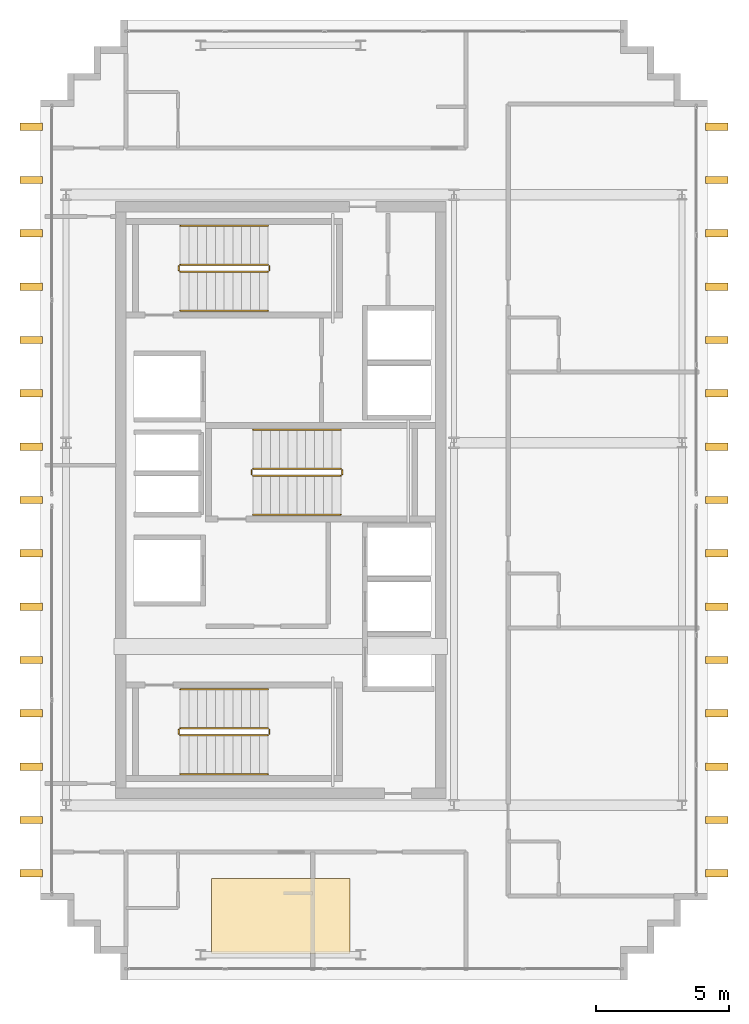
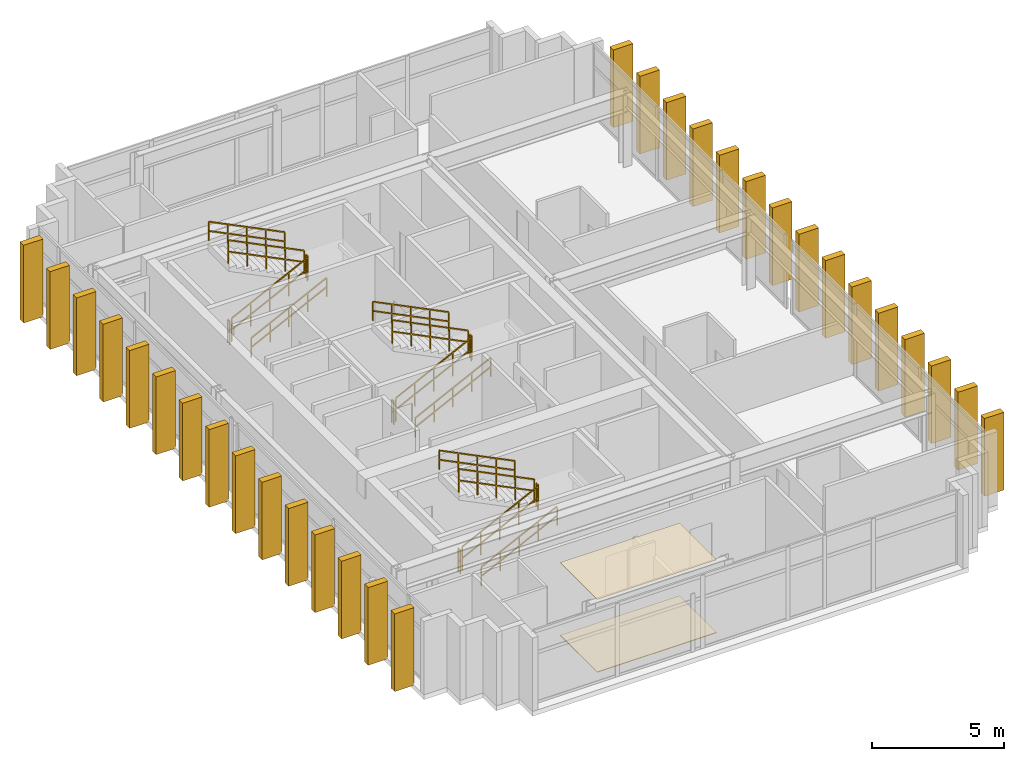
# One storey, part 15 of 15: 30 shading devices, 18 railings, 2 coverings.
"""IFC4 building model written with IfcOpenShell, lengths in metres."""

from ifc_helpers import new_model, si_unit, direction, frame, origin, origin_2d, place, context, subcontext, project, spatial, polyline, rectangle, outline, extrude, source, transform, mapped, material, layer, layer_set, type_object, element, save


model = new_model("IFC4")

# Units and contexts
model_context = context("Model", 3, precision=1e-05, world=origin(), true_north=direction((0.0, 1.0)))
body_context = subcontext(model_context, "Body", "Model", "MODEL_VIEW")
ifc_project = project(units=[si_unit("LENGTHUNIT", "METRE"), si_unit("AREAUNIT", "SQUARE_METRE"), si_unit("VOLUMEUNIT", "CUBIC_METRE"), si_unit("PLANEANGLEUNIT", "RADIAN"), si_unit("MASSUNIT", "GRAM", prefix="KILO")], contexts=[model_context])

# Site, building, storey
site_placement = place(None, origin())
site = spatial("IfcSite", under=ifc_project, at=site_placement, CompositionType="ELEMENT")
building_placement = place(site_placement, origin())
building = spatial("IfcBuilding", under=site, at=building_placement, Name="Ocotamira Hotel", CompositionType="ELEMENT")
storey_placement = place(building_placement, frame((0.0, 0.0, 276.0)))
storey = spatial("IfcBuildingStorey", under=building, at=storey_placement, Name="L70", CompositionType="ELEMENT", Elevation=276.0)

# Coverings
ifc_material_1 = material(Name="Perforated acoustic gypsum ceiling board", Category="gypsum")
ifc_layer_1 = layer(ifc_material_1, 0.02490234375)
ifc_layer_set_1 = layer_set([ifc_layer_1], Name="Perforated acoustic gypsum ceiling board")
covering_type_1 = type_object("IfcCoveringType", Name="COV-CEIL-25", PredefinedType="CEILING", material=ifc_layer_set_1)
covering_1_placement = place(storey_placement, frame((0.0, 0.0, 3.35498046875)))
element("IfcCovering", 1, at=covering_1_placement, inside=storey, type_object=covering_type_1, Name="L70 Acoustic Ceiling", PredefinedType="CEILING", context=body_context, shape_type="SweptSolid", body=[
    extrude(outline(polyline([(14.39990234375, 9.0), (19.60009765625, 9.0), (19.60009765625, 11.800048828125), (14.39990234375, 11.800048828125), (14.39990234375, 9.0)])), origin(), (0.0, 0.0, 1.0), 0.02490234375),
])
ifc_material_2 = material(Name="Honed desert travertine stone flooring", Category="masonry")
ifc_layer_2 = layer(ifc_material_2, 0.030029296875)
ifc_layer_set_2 = layer_set([ifc_layer_2], Name="Honed desert travertine stone flooring")
covering_type_2 = type_object("IfcCoveringType", Name="COV-FLOR-30", PredefinedType="FLOORING", material=ifc_layer_set_2)
covering_2_placement = place(storey_placement, origin())
element("IfcCovering", 2, at=covering_2_placement, inside=storey, type_object=covering_type_2, Name="L70 Honed Stone Floor Finish", PredefinedType="FLOORING", context=body_context, shape_type="SweptSolid", body=[
    extrude(outline(polyline([(14.39990234375, 9.0), (19.60009765625, 9.0), (19.60009765625, 11.800048828125), (14.39990234375, 11.800048828125), (14.39990234375, 9.0)])), origin(), (0.0, 0.0, 1.0), 0.030029296875),
])

# Railings
ifc_material_3 = material(Name="Brushed stainless steel handrail", Category="steel")
railing_type_1 = type_object("IfcRailingType", Name="RL-HAND-900", PredefinedType="HANDRAIL", material=ifc_material_3)
railing_1_placement = place(storey_placement, frame((13.22998046875, 15.719970703125, 0.327392578125)))
element("IfcRailing", 3, at=railing_1_placement, inside=storey, type_object=railing_type_1, Name="L70 ST-1 stair handrail 1", PredefinedType="HANDRAIL", context=body_context, shape_type="SweptSolid", body=[
    extrude(rectangle(XDim=0.048095703125, YDim=0.048095703125, at=origin_2d()), frame((0.0, 0.0, 0.8759765625), z_axis=(0.895920123917, 0.0, 0.444215186098), x_axis=(0.0, 1.0, 0.0)), (0.0, 0.0, 1.0), 3.683349609375),
    extrude(rectangle(XDim=0.048095703125, YDim=0.048095703125, at=origin_2d()), frame((0.0, 0.0, 0.449951171875), z_axis=(0.895920123917, 0.0, 0.444215186098), x_axis=(0.0, 1.0, 0.0)), (0.0, 0.0, 1.0), 3.683349609375),
    extrude(rectangle(XDim=0.0419921875, YDim=0.0419921875, at=origin_2d()), origin(), (0.0, 0.0, 1.0), 0.851806640625),
    extrude(rectangle(XDim=0.0419921875, YDim=0.0419921875, at=origin_2d()), frame((0.824951171875, 0.0, 0.4091796875)), (0.0, 0.0, 1.0), 0.851806640625),
    extrude(rectangle(XDim=0.0419921875, YDim=0.0419921875, at=origin_2d()), frame((1.64990234375, 0.0, 0.818115234375)), (0.0, 0.0, 1.0), 0.851806640625),
    extrude(rectangle(XDim=0.0419921875, YDim=0.0419921875, at=origin_2d()), frame((2.47509765625, 0.0, 1.22705078125)), (0.0, 0.0, 1.0), 0.851806640625),
    extrude(rectangle(XDim=0.0419921875, YDim=0.0419921875, at=origin_2d()), frame((3.300048828125, 0.0, 1.63623046875)), (0.0, 0.0, 1.0), 0.851806640625),
])
railing_2_placement = place(storey_placement, frame((16.530029296875, 18.89990234375, 2.127197265625)))
element("IfcRailing", 4, at=railing_2_placement, inside=storey, type_object=railing_type_1, Name="L70 ST-1 stair handrail 2", PredefinedType="HANDRAIL", context=body_context, shape_type="SweptSolid", body=[
    extrude(rectangle(XDim=0.048095703125, YDim=0.048095703125, at=origin_2d()), frame((0.0, 0.0, 0.8759765625), z_axis=(-0.895893744519, 0.0, 0.4442683857), x_axis=(0.0, -1.0, 0.0)), (0.0, 0.0, 1.0), 3.68359375),
    extrude(rectangle(XDim=0.048095703125, YDim=0.048095703125, at=origin_2d()), frame((0.0, 0.0, 0.449951171875), z_axis=(-0.895893744519, 0.0, 0.4442683857), x_axis=(0.0, -1.0, 0.0)), (0.0, 0.0, 1.0), 3.68359375),
    extrude(rectangle(XDim=0.0419921875, YDim=0.0419921875, at=origin_2d()), origin(), (0.0, 0.0, 1.0), 0.851806640625),
    extrude(rectangle(XDim=0.0419921875, YDim=0.0419921875, at=origin_2d()), frame((-0.824951171875, 0.0, 0.4091796875)), (0.0, 0.0, 1.0), 0.851806640625),
    extrude(rectangle(XDim=0.0419921875, YDim=0.0419921875, at=origin_2d()), frame((-1.64990234375, 0.0, 0.818359375)), (0.0, 0.0, 1.0), 0.851806640625),
    extrude(rectangle(XDim=0.0419921875, YDim=0.0419921875, at=origin_2d()), frame((-2.47509765625, 0.0, 1.227294921875)), (0.0, 0.0, 1.0), 0.851806640625),
    extrude(rectangle(XDim=0.0419921875, YDim=0.0419921875, at=origin_2d()), frame((-3.300048828125, 0.0, 1.636474609375)), (0.0, 0.0, 1.0), 0.851806640625),
])
railing_3_placement = place(storey_placement, frame((13.22998046875, 33.10009765625, 0.327392578125)))
element("IfcRailing", 5, at=railing_3_placement, inside=storey, type_object=railing_type_1, Name="L70 ST-2 stair handrail 1", PredefinedType="HANDRAIL", context=body_context, shape_type="SweptSolid", body=[
    extrude(rectangle(XDim=0.048095703125, YDim=0.048095703125, at=origin_2d()), frame((0.0, 0.0, 0.8759765625), z_axis=(0.895920123917, 0.0, 0.444215186098), x_axis=(0.0, 1.0, 0.0)), (0.0, 0.0, 1.0), 3.683349609375),
    extrude(rectangle(XDim=0.048095703125, YDim=0.048095703125, at=origin_2d()), frame((0.0, 0.0, 0.449951171875), z_axis=(0.895920123917, 0.0, 0.444215186098), x_axis=(0.0, 1.0, 0.0)), (0.0, 0.0, 1.0), 3.683349609375),
    extrude(rectangle(XDim=0.0419921875, YDim=0.0419921875, at=origin_2d()), origin(), (0.0, 0.0, 1.0), 0.851806640625),
    extrude(rectangle(XDim=0.0419921875, YDim=0.0419921875, at=origin_2d()), frame((0.824951171875, 0.0, 0.4091796875)), (0.0, 0.0, 1.0), 0.851806640625),
    extrude(rectangle(XDim=0.0419921875, YDim=0.0419921875, at=origin_2d()), frame((1.64990234375, 0.0, 0.818115234375)), (0.0, 0.0, 1.0), 0.851806640625),
    extrude(rectangle(XDim=0.0419921875, YDim=0.0419921875, at=origin_2d()), frame((2.47509765625, 0.0, 1.22705078125)), (0.0, 0.0, 1.0), 0.851806640625),
    extrude(rectangle(XDim=0.0419921875, YDim=0.0419921875, at=origin_2d()), frame((3.300048828125, 0.0, 1.63623046875)), (0.0, 0.0, 1.0), 0.851806640625),
])
railing_4_placement = place(storey_placement, frame((16.530029296875, 36.280029296875, 2.127197265625)))
element("IfcRailing", 6, at=railing_4_placement, inside=storey, type_object=railing_type_1, Name="L70 ST-2 stair handrail 2", PredefinedType="HANDRAIL", context=body_context, shape_type="SweptSolid", body=[
    extrude(rectangle(XDim=0.048095703125, YDim=0.048095703125, at=origin_2d()), frame((0.0, 0.0, 0.8759765625), z_axis=(-0.895893744519, 0.0, 0.4442683857), x_axis=(0.0, -1.0, 0.0)), (0.0, 0.0, 1.0), 3.68359375),
    extrude(rectangle(XDim=0.048095703125, YDim=0.048095703125, at=origin_2d()), frame((0.0, 0.0, 0.449951171875), z_axis=(-0.895893744519, 0.0, 0.4442683857), x_axis=(0.0, -1.0, 0.0)), (0.0, 0.0, 1.0), 3.68359375),
    extrude(rectangle(XDim=0.0419921875, YDim=0.0419921875, at=origin_2d()), origin(), (0.0, 0.0, 1.0), 0.851806640625),
    extrude(rectangle(XDim=0.0419921875, YDim=0.0419921875, at=origin_2d()), frame((-0.824951171875, 0.0, 0.4091796875)), (0.0, 0.0, 1.0), 0.851806640625),
    extrude(rectangle(XDim=0.0419921875, YDim=0.0419921875, at=origin_2d()), frame((-1.64990234375, 0.0, 0.818359375)), (0.0, 0.0, 1.0), 0.851806640625),
    extrude(rectangle(XDim=0.0419921875, YDim=0.0419921875, at=origin_2d()), frame((-2.47509765625, 0.0, 1.227294921875)), (0.0, 0.0, 1.0), 0.851806640625),
    extrude(rectangle(XDim=0.0419921875, YDim=0.0419921875, at=origin_2d()), frame((-3.300048828125, 0.0, 1.636474609375)), (0.0, 0.0, 1.0), 0.851806640625),
])
railing_5_placement = place(storey_placement, frame((15.9599609375, 25.449951171875, 0.327392578125)))
element("IfcRailing", 7, at=railing_5_placement, inside=storey, type_object=railing_type_1, Name="L70 ST-3 stair handrail 1", PredefinedType="HANDRAIL", context=body_context, shape_type="SweptSolid", body=[
    extrude(rectangle(XDim=0.048095703125, YDim=0.048095703125, at=origin_2d()), frame((0.0, 0.0, 0.8759765625), z_axis=(0.895920123917, 0.0, 0.444215186098), x_axis=(0.0, 1.0, 0.0)), (0.0, 0.0, 1.0), 3.683349609375),
    extrude(rectangle(XDim=0.048095703125, YDim=0.048095703125, at=origin_2d()), frame((0.0, 0.0, 0.449951171875), z_axis=(0.895920123917, 0.0, 0.444215186098), x_axis=(0.0, 1.0, 0.0)), (0.0, 0.0, 1.0), 3.683349609375),
    extrude(rectangle(XDim=0.0419921875, YDim=0.0419921875, at=origin_2d()), origin(), (0.0, 0.0, 1.0), 0.851806640625),
    extrude(rectangle(XDim=0.0419921875, YDim=0.0419921875, at=origin_2d()), frame((0.824951171875, 0.0, 0.4091796875)), (0.0, 0.0, 1.0), 0.851806640625),
    extrude(rectangle(XDim=0.0419921875, YDim=0.0419921875, at=origin_2d()), frame((1.64990234375, 0.0, 0.818115234375)), (0.0, 0.0, 1.0), 0.851806640625),
    extrude(rectangle(XDim=0.0419921875, YDim=0.0419921875, at=origin_2d()), frame((2.47509765625, 0.0, 1.22705078125)), (0.0, 0.0, 1.0), 0.851806640625),
    extrude(rectangle(XDim=0.0419921875, YDim=0.0419921875, at=origin_2d()), frame((3.300048828125, 0.0, 1.63623046875)), (0.0, 0.0, 1.0), 0.851806640625),
])
railing_6_placement = place(storey_placement, frame((19.260009765625, 28.6298828125, 2.127197265625)))
element("IfcRailing", 8, at=railing_6_placement, inside=storey, type_object=railing_type_1, Name="L70 ST-3 stair handrail 2", PredefinedType="HANDRAIL", context=body_context, shape_type="SweptSolid", body=[
    extrude(rectangle(XDim=0.048095703125, YDim=0.048095703125, at=origin_2d()), frame((0.0, 0.0, 0.8759765625), z_axis=(-0.895893744519, 0.0, 0.4442683857), x_axis=(0.0, -1.0, 0.0)), (0.0, 0.0, 1.0), 3.68359375),
    extrude(rectangle(XDim=0.048095703125, YDim=0.048095703125, at=origin_2d()), frame((0.0, 0.0, 0.449951171875), z_axis=(-0.895893744519, 0.0, 0.4442683857), x_axis=(0.0, -1.0, 0.0)), (0.0, 0.0, 1.0), 3.68359375),
    extrude(rectangle(XDim=0.0419921875, YDim=0.0419921875, at=origin_2d()), origin(), (0.0, 0.0, 1.0), 0.851806640625),
    extrude(rectangle(XDim=0.0419921875, YDim=0.0419921875, at=origin_2d()), frame((-0.824951171875, 0.0, 0.4091796875)), (0.0, 0.0, 1.0), 0.851806640625),
    extrude(rectangle(XDim=0.0419921875, YDim=0.0419921875, at=origin_2d()), frame((-1.64990234375, 0.0, 0.818359375)), (0.0, 0.0, 1.0), 0.851806640625),
    extrude(rectangle(XDim=0.0419921875, YDim=0.0419921875, at=origin_2d()), frame((-2.47509765625, 0.0, 1.227294921875)), (0.0, 0.0, 1.0), 0.851806640625),
    extrude(rectangle(XDim=0.0419921875, YDim=0.0419921875, at=origin_2d()), frame((-3.300048828125, 0.0, 1.636474609375)), (0.0, 0.0, 1.0), 0.851806640625),
])
ifc_material_4 = material(Name="Painted steel stair guardrail", Category="steel")
railing_type_2 = type_object("IfcRailingType", Name="RL-STAIR-1100", PredefinedType="GUARDRAIL", material=ifc_material_4)
railing_7_placement = place(storey_placement, frame((13.22998046875, 17.179931640625, 0.16357421875)))
element("IfcRailing", 9, at=railing_7_placement, inside=storey, type_object=railing_type_2, Name="L70 ST-1 stair guard 1", PredefinedType="GUARDRAIL", context=body_context, shape_type="SweptSolid", body=[
    extrude(rectangle(XDim=0.048095703125, YDim=0.048095703125, at=origin_2d()), frame((0.0, 0.0, 1.076171875), z_axis=(0.895893744519, 0.0, 0.4442683857), x_axis=(0.0, 1.0, 0.0)), (0.0, 0.0, 1.0), 3.68359375),
    extrude(rectangle(XDim=0.048095703125, YDim=0.048095703125, at=origin_2d()), frame((0.0, 0.0, 0.550048828125), z_axis=(0.895893744519, 0.0, 0.4442683857), x_axis=(0.0, 1.0, 0.0)), (0.0, 0.0, 1.0), 3.68359375),
    extrude(rectangle(XDim=0.0419921875, YDim=0.0419921875, at=origin_2d()), origin(), (0.0, 0.0, 1.0), 1.052001953125),
    extrude(rectangle(XDim=0.0419921875, YDim=0.0419921875, at=origin_2d()), frame((0.824951171875, 0.0, 0.4091796875)), (0.0, 0.0, 1.0), 1.052001953125),
    extrude(rectangle(XDim=0.0419921875, YDim=0.0419921875, at=origin_2d()), frame((1.64990234375, 0.0, 0.818359375)), (0.0, 0.0, 1.0), 1.052001953125),
    extrude(rectangle(XDim=0.0419921875, YDim=0.0419921875, at=origin_2d()), frame((2.47509765625, 0.0, 1.227294921875)), (0.0, 0.0, 1.0), 1.052001953125),
    extrude(rectangle(XDim=0.0419921875, YDim=0.0419921875, at=origin_2d()), frame((3.300048828125, 0.0, 1.636474609375)), (0.0, 0.0, 1.0), 1.052001953125),
])
railing_8_placement = place(storey_placement, frame((16.580078125, 17.22998046875, 1.800048828125)))
element("IfcRailing", 10, at=railing_8_placement, inside=storey, type_object=railing_type_2, Name="L70 ST-1 stair guard 2", PredefinedType="GUARDRAIL", context=body_context, shape_type="SweptSolid", body=[
    extrude(rectangle(XDim=0.048095703125, YDim=0.048095703125, at=origin_2d()), frame((0.0, 0.0, 1.076171875), z_axis=(0.0, 1.0, 0.0), x_axis=(-1.0, 0.0, 0.0)), (0.0, 0.0, 1.0), 0.159912109375),
    extrude(rectangle(XDim=0.048095703125, YDim=0.048095703125, at=origin_2d()), frame((0.0, 0.0, 0.550048828125), z_axis=(0.0, 1.0, 0.0), x_axis=(-1.0, 0.0, 0.0)), (0.0, 0.0, 1.0), 0.159912109375),
    extrude(rectangle(XDim=0.0419921875, YDim=0.0419921875, at=origin_2d()), origin(), (0.0, 0.0, 1.0), 1.052001953125),
    extrude(rectangle(XDim=0.0419921875, YDim=0.0419921875, at=origin_2d()), frame((0.0, 0.159912109375, 0.0)), (0.0, 0.0, 1.0), 1.052001953125),
])
railing_9_placement = place(storey_placement, frame((16.530029296875, 17.43994140625, 1.963623046875)))
element("IfcRailing", 11, at=railing_9_placement, inside=storey, type_object=railing_type_2, Name="L70 ST-1 stair guard 3", PredefinedType="GUARDRAIL", context=body_context, shape_type="SweptSolid", body=[
    extrude(rectangle(XDim=0.048095703125, YDim=0.048095703125, at=origin_2d()), frame((0.0, 0.0, 1.076171875), z_axis=(-0.895893744519, 0.0, 0.4442683857), x_axis=(0.0, -1.0, 0.0)), (0.0, 0.0, 1.0), 3.68359375),
    extrude(rectangle(XDim=0.048095703125, YDim=0.048095703125, at=origin_2d()), frame((0.0, 0.0, 0.550048828125), z_axis=(-0.895893744519, 0.0, 0.4442683857), x_axis=(0.0, -1.0, 0.0)), (0.0, 0.0, 1.0), 3.68359375),
    extrude(rectangle(XDim=0.0419921875, YDim=0.0419921875, at=origin_2d()), origin(), (0.0, 0.0, 1.0), 1.052001953125),
    extrude(rectangle(XDim=0.0419921875, YDim=0.0419921875, at=origin_2d()), frame((-0.824951171875, 0.0, 0.4091796875)), (0.0, 0.0, 1.0), 1.052001953125),
    extrude(rectangle(XDim=0.0419921875, YDim=0.0419921875, at=origin_2d()), frame((-1.64990234375, 0.0, 0.818359375)), (0.0, 0.0, 1.0), 1.052001953125),
    extrude(rectangle(XDim=0.0419921875, YDim=0.0419921875, at=origin_2d()), frame((-2.47509765625, 0.0, 1.227294921875)), (0.0, 0.0, 1.0), 1.052001953125),
    extrude(rectangle(XDim=0.0419921875, YDim=0.0419921875, at=origin_2d()), frame((-3.300048828125, 0.0, 1.636474609375)), (0.0, 0.0, 1.0), 1.052001953125),
])
railing_10_placement = place(storey_placement, frame((13.179931640625, 17.22998046875, 0.0)))
element("IfcRailing", 12, at=railing_10_placement, inside=storey, type_object=railing_type_2, Name="L70 ST-1 stair guard 4", PredefinedType="GUARDRAIL", context=body_context, shape_type="SweptSolid", body=[
    extrude(rectangle(XDim=0.048095703125, YDim=0.048095703125, at=origin_2d()), frame((0.0, 0.0, 1.076171875), z_axis=(0.0, 1.0, 0.0), x_axis=(-1.0, 0.0, 0.0)), (0.0, 0.0, 1.0), 0.159912109375),
    extrude(rectangle(XDim=0.048095703125, YDim=0.048095703125, at=origin_2d()), frame((0.0, 0.0, 0.550048828125), z_axis=(0.0, 1.0, 0.0), x_axis=(-1.0, 0.0, 0.0)), (0.0, 0.0, 1.0), 0.159912109375),
    extrude(rectangle(XDim=0.0419921875, YDim=0.0419921875, at=origin_2d()), origin(), (0.0, 0.0, 1.0), 1.052001953125),
    extrude(rectangle(XDim=0.0419921875, YDim=0.0419921875, at=origin_2d()), frame((0.0, 0.159912109375, 0.0)), (0.0, 0.0, 1.0), 1.052001953125),
])
railing_11_placement = place(storey_placement, frame((13.22998046875, 34.56005859375, 0.16357421875)))
element("IfcRailing", 13, at=railing_11_placement, inside=storey, type_object=railing_type_2, Name="L70 ST-2 stair guard 1", PredefinedType="GUARDRAIL", context=body_context, shape_type="SweptSolid", body=[
    extrude(rectangle(XDim=0.048095703125, YDim=0.048095703125, at=origin_2d()), frame((0.0, 0.0, 1.076171875), z_axis=(0.895893744519, 0.0, 0.4442683857), x_axis=(0.0, 1.0, 0.0)), (0.0, 0.0, 1.0), 3.68359375),
    extrude(rectangle(XDim=0.048095703125, YDim=0.048095703125, at=origin_2d()), frame((0.0, 0.0, 0.550048828125), z_axis=(0.895893744519, 0.0, 0.4442683857), x_axis=(0.0, 1.0, 0.0)), (0.0, 0.0, 1.0), 3.68359375),
    extrude(rectangle(XDim=0.0419921875, YDim=0.0419921875, at=origin_2d()), origin(), (0.0, 0.0, 1.0), 1.052001953125),
    extrude(rectangle(XDim=0.0419921875, YDim=0.0419921875, at=origin_2d()), frame((0.824951171875, 0.0, 0.4091796875)), (0.0, 0.0, 1.0), 1.052001953125),
    extrude(rectangle(XDim=0.0419921875, YDim=0.0419921875, at=origin_2d()), frame((1.64990234375, 0.0, 0.818359375)), (0.0, 0.0, 1.0), 1.052001953125),
    extrude(rectangle(XDim=0.0419921875, YDim=0.0419921875, at=origin_2d()), frame((2.47509765625, 0.0, 1.227294921875)), (0.0, 0.0, 1.0), 1.052001953125),
    extrude(rectangle(XDim=0.0419921875, YDim=0.0419921875, at=origin_2d()), frame((3.300048828125, 0.0, 1.636474609375)), (0.0, 0.0, 1.0), 1.052001953125),
])
railing_12_placement = place(storey_placement, frame((16.580078125, 34.610107421875, 1.800048828125)))
element("IfcRailing", 14, at=railing_12_placement, inside=storey, type_object=railing_type_2, Name="L70 ST-2 stair guard 2", PredefinedType="GUARDRAIL", context=body_context, shape_type="SweptSolid", body=[
    extrude(rectangle(XDim=0.048095703125, YDim=0.048095703125, at=origin_2d()), frame((0.0, 0.0, 1.076171875), z_axis=(0.0, 1.0, 0.0), x_axis=(-1.0, 0.0, 0.0)), (0.0, 0.0, 1.0), 0.159912109375),
    extrude(rectangle(XDim=0.048095703125, YDim=0.048095703125, at=origin_2d()), frame((0.0, 0.0, 0.550048828125), z_axis=(0.0, 1.0, 0.0), x_axis=(-1.0, 0.0, 0.0)), (0.0, 0.0, 1.0), 0.159912109375),
    extrude(rectangle(XDim=0.0419921875, YDim=0.0419921875, at=origin_2d()), origin(), (0.0, 0.0, 1.0), 1.052001953125),
    extrude(rectangle(XDim=0.0419921875, YDim=0.0419921875, at=origin_2d()), frame((0.0, 0.159912109375, 0.0)), (0.0, 0.0, 1.0), 1.052001953125),
])
railing_13_placement = place(storey_placement, frame((16.530029296875, 34.820068359375, 1.963623046875)))
element("IfcRailing", 15, at=railing_13_placement, inside=storey, type_object=railing_type_2, Name="L70 ST-2 stair guard 3", PredefinedType="GUARDRAIL", context=body_context, shape_type="SweptSolid", body=[
    extrude(rectangle(XDim=0.048095703125, YDim=0.048095703125, at=origin_2d()), frame((0.0, 0.0, 1.076171875), z_axis=(-0.895893744519, 0.0, 0.4442683857), x_axis=(0.0, -1.0, 0.0)), (0.0, 0.0, 1.0), 3.68359375),
    extrude(rectangle(XDim=0.048095703125, YDim=0.048095703125, at=origin_2d()), frame((0.0, 0.0, 0.550048828125), z_axis=(-0.895893744519, 0.0, 0.4442683857), x_axis=(0.0, -1.0, 0.0)), (0.0, 0.0, 1.0), 3.68359375),
    extrude(rectangle(XDim=0.0419921875, YDim=0.0419921875, at=origin_2d()), origin(), (0.0, 0.0, 1.0), 1.052001953125),
    extrude(rectangle(XDim=0.0419921875, YDim=0.0419921875, at=origin_2d()), frame((-0.824951171875, 0.0, 0.4091796875)), (0.0, 0.0, 1.0), 1.052001953125),
    extrude(rectangle(XDim=0.0419921875, YDim=0.0419921875, at=origin_2d()), frame((-1.64990234375, 0.0, 0.818359375)), (0.0, 0.0, 1.0), 1.052001953125),
    extrude(rectangle(XDim=0.0419921875, YDim=0.0419921875, at=origin_2d()), frame((-2.47509765625, 0.0, 1.227294921875)), (0.0, 0.0, 1.0), 1.052001953125),
    extrude(rectangle(XDim=0.0419921875, YDim=0.0419921875, at=origin_2d()), frame((-3.300048828125, 0.0, 1.636474609375)), (0.0, 0.0, 1.0), 1.052001953125),
])
railing_14_placement = place(storey_placement, frame((13.179931640625, 34.610107421875, 0.0)))
element("IfcRailing", 16, at=railing_14_placement, inside=storey, type_object=railing_type_2, Name="L70 ST-2 stair guard 4", PredefinedType="GUARDRAIL", context=body_context, shape_type="SweptSolid", body=[
    extrude(rectangle(XDim=0.048095703125, YDim=0.048095703125, at=origin_2d()), frame((0.0, 0.0, 1.076171875), z_axis=(0.0, 1.0, 0.0), x_axis=(-1.0, 0.0, 0.0)), (0.0, 0.0, 1.0), 0.159912109375),
    extrude(rectangle(XDim=0.048095703125, YDim=0.048095703125, at=origin_2d()), frame((0.0, 0.0, 0.550048828125), z_axis=(0.0, 1.0, 0.0), x_axis=(-1.0, 0.0, 0.0)), (0.0, 0.0, 1.0), 0.159912109375),
    extrude(rectangle(XDim=0.0419921875, YDim=0.0419921875, at=origin_2d()), origin(), (0.0, 0.0, 1.0), 1.052001953125),
    extrude(rectangle(XDim=0.0419921875, YDim=0.0419921875, at=origin_2d()), frame((0.0, 0.159912109375, 0.0)), (0.0, 0.0, 1.0), 1.052001953125),
])
railing_15_placement = place(storey_placement, frame((15.9599609375, 26.909912109375, 0.16357421875)))
element("IfcRailing", 17, at=railing_15_placement, inside=storey, type_object=railing_type_2, Name="L70 ST-3 stair guard 1", PredefinedType="GUARDRAIL", context=body_context, shape_type="SweptSolid", body=[
    extrude(rectangle(XDim=0.048095703125, YDim=0.048095703125, at=origin_2d()), frame((0.0, 0.0, 1.076171875), z_axis=(0.895893744519, 0.0, 0.4442683857), x_axis=(0.0, 1.0, 0.0)), (0.0, 0.0, 1.0), 3.68359375),
    extrude(rectangle(XDim=0.048095703125, YDim=0.048095703125, at=origin_2d()), frame((0.0, 0.0, 0.550048828125), z_axis=(0.895893744519, 0.0, 0.4442683857), x_axis=(0.0, 1.0, 0.0)), (0.0, 0.0, 1.0), 3.68359375),
    extrude(rectangle(XDim=0.0419921875, YDim=0.0419921875, at=origin_2d()), origin(), (0.0, 0.0, 1.0), 1.052001953125),
    extrude(rectangle(XDim=0.0419921875, YDim=0.0419921875, at=origin_2d()), frame((0.824951171875, 0.0, 0.4091796875)), (0.0, 0.0, 1.0), 1.052001953125),
    extrude(rectangle(XDim=0.0419921875, YDim=0.0419921875, at=origin_2d()), frame((1.64990234375, 0.0, 0.818359375)), (0.0, 0.0, 1.0), 1.052001953125),
    extrude(rectangle(XDim=0.0419921875, YDim=0.0419921875, at=origin_2d()), frame((2.47509765625, 0.0, 1.227294921875)), (0.0, 0.0, 1.0), 1.052001953125),
    extrude(rectangle(XDim=0.0419921875, YDim=0.0419921875, at=origin_2d()), frame((3.300048828125, 0.0, 1.636474609375)), (0.0, 0.0, 1.0), 1.052001953125),
])
railing_16_placement = place(storey_placement, frame((19.31005859375, 26.9599609375, 1.800048828125)))
element("IfcRailing", 18, at=railing_16_placement, inside=storey, type_object=railing_type_2, Name="L70 ST-3 stair guard 2", PredefinedType="GUARDRAIL", context=body_context, shape_type="SweptSolid", body=[
    extrude(rectangle(XDim=0.048095703125, YDim=0.048095703125, at=origin_2d()), frame((0.0, 0.0, 1.076171875), z_axis=(0.0, 1.0, 0.0), x_axis=(-1.0, 0.0, 0.0)), (0.0, 0.0, 1.0), 0.16015625),
    extrude(rectangle(XDim=0.048095703125, YDim=0.048095703125, at=origin_2d()), frame((0.0, 0.0, 0.550048828125), z_axis=(0.0, 1.0, 0.0), x_axis=(-1.0, 0.0, 0.0)), (0.0, 0.0, 1.0), 0.16015625),
    extrude(rectangle(XDim=0.0419921875, YDim=0.0419921875, at=origin_2d()), origin(), (0.0, 0.0, 1.0), 1.052001953125),
    extrude(rectangle(XDim=0.0419921875, YDim=0.0419921875, at=origin_2d()), frame((0.0, 0.16015625, 0.0)), (0.0, 0.0, 1.0), 1.052001953125),
])
railing_17_placement = place(storey_placement, frame((19.260009765625, 27.169921875, 1.963623046875)))
element("IfcRailing", 19, at=railing_17_placement, inside=storey, type_object=railing_type_2, Name="L70 ST-3 stair guard 3", PredefinedType="GUARDRAIL", context=body_context, shape_type="SweptSolid", body=[
    extrude(rectangle(XDim=0.048095703125, YDim=0.048095703125, at=origin_2d()), frame((0.0, 0.0, 1.076171875), z_axis=(-0.895893744519, 0.0, 0.4442683857), x_axis=(0.0, -1.0, 0.0)), (0.0, 0.0, 1.0), 3.68359375),
    extrude(rectangle(XDim=0.048095703125, YDim=0.048095703125, at=origin_2d()), frame((0.0, 0.0, 0.550048828125), z_axis=(-0.895893744519, 0.0, 0.4442683857), x_axis=(0.0, -1.0, 0.0)), (0.0, 0.0, 1.0), 3.68359375),
    extrude(rectangle(XDim=0.0419921875, YDim=0.0419921875, at=origin_2d()), origin(), (0.0, 0.0, 1.0), 1.052001953125),
    extrude(rectangle(XDim=0.0419921875, YDim=0.0419921875, at=origin_2d()), frame((-0.824951171875, 0.0, 0.4091796875)), (0.0, 0.0, 1.0), 1.052001953125),
    extrude(rectangle(XDim=0.0419921875, YDim=0.0419921875, at=origin_2d()), frame((-1.64990234375, 0.0, 0.818359375)), (0.0, 0.0, 1.0), 1.052001953125),
    extrude(rectangle(XDim=0.0419921875, YDim=0.0419921875, at=origin_2d()), frame((-2.47509765625, 0.0, 1.227294921875)), (0.0, 0.0, 1.0), 1.052001953125),
    extrude(rectangle(XDim=0.0419921875, YDim=0.0419921875, at=origin_2d()), frame((-3.300048828125, 0.0, 1.636474609375)), (0.0, 0.0, 1.0), 1.052001953125),
])
railing_18_placement = place(storey_placement, frame((15.909912109375, 26.9599609375, 0.0)))
element("IfcRailing", 20, at=railing_18_placement, inside=storey, type_object=railing_type_2, Name="L70 ST-3 stair guard 4", PredefinedType="GUARDRAIL", context=body_context, shape_type="SweptSolid", body=[
    extrude(rectangle(XDim=0.048095703125, YDim=0.048095703125, at=origin_2d()), frame((0.0, 0.0, 1.076171875), z_axis=(0.0, 1.0, 0.0), x_axis=(-1.0, 0.0, 0.0)), (0.0, 0.0, 1.0), 0.16015625),
    extrude(rectangle(XDim=0.048095703125, YDim=0.048095703125, at=origin_2d()), frame((0.0, 0.0, 0.550048828125), z_axis=(0.0, 1.0, 0.0), x_axis=(-1.0, 0.0, 0.0)), (0.0, 0.0, 1.0), 0.16015625),
    extrude(rectangle(XDim=0.0419921875, YDim=0.0419921875, at=origin_2d()), origin(), (0.0, 0.0, 1.0), 1.052001953125),
    extrude(rectangle(XDim=0.0419921875, YDim=0.0419921875, at=origin_2d()), frame((0.0, 0.16015625, 0.0)), (0.0, 0.0, 1.0), 1.052001953125),
])

# Shading devices
ifc_material_5 = material(Name="Pale-metal anodised aluminium architectural fin", Category="aluminium")
shading_device_type = type_object("IfcShadingDeviceType", Name="SHD-PIER-850", PredefinedType="USERDEFINED", material=ifc_material_5)
shared_shape = source(origin(), body_context, "Body", "SweptSolid", [
    extrude(rectangle(XDim=0.85009765625, YDim=0.280029296875, at=origin_2d()), origin(), (0.0, 0.0, 1.0), 3.580078125),
])
for number, where, z_axis, x_axis, name in (
    (21, (7.64990234375, 12.0, -0.10009765625), (0.0, 0.0, 1.0), (1.0, 0.0, 0.0), "L70 West Peak Vertical Pier X7 Y12"),
    (22, (33.35009765625, 12.0, -0.10009765625), (0.0, 0.0, 1.0), (1.0, 0.0, 0.0), "L70 West Peak Vertical Pier X33 Y12"),
    (23, (7.64990234375, 14.0, -0.10009765625), (0.0, 0.0, 1.0), (1.0, 0.0, 0.0), "L70 West Peak Vertical Pier X7 Y14"),
    (24, (33.35009765625, 14.0, -0.10009765625), (0.0, 0.0, 1.0), (1.0, 0.0, 0.0), "L70 West Peak Vertical Pier X33 Y14"),
    (25, (7.64990234375, 16.0, -0.10009765625), (0.0, 0.0, 1.0), (1.0, 0.0, 0.0), "L70 West Peak Vertical Pier X7 Y16"),
    (26, (33.35009765625, 16.0, -0.10009765625), (0.0, 0.0, 1.0), (1.0, 0.0, 0.0), "L70 West Peak Vertical Pier X33 Y16"),
    (27, (7.64990234375, 18.0, -0.10009765625), (0.0, 0.0, 1.0), (1.0, 0.0, 0.0), "L70 West Peak Vertical Pier X7 Y18"),
    (28, (33.35009765625, 18.0, -0.10009765625), (0.0, 0.0, 1.0), (1.0, 0.0, 0.0), "L70 West Peak Vertical Pier X33 Y18"),
    (29, (7.64990234375, 20.0, -0.10009765625), (0.0, 0.0, 1.0), (1.0, 0.0, 0.0), "L70 West Peak Vertical Pier X7 Y20"),
    (30, (33.35009765625, 20.0, -0.10009765625), (0.0, 0.0, 1.0), (1.0, 0.0, 0.0), "L70 West Peak Vertical Pier X33 Y20"),
    (31, (7.64990234375, 22.0, -0.10009765625), (0.0, 0.0, 1.0), (1.0, 0.0, 0.0), "L70 West Peak Vertical Pier X7 Y22"),
    (32, (33.35009765625, 22.0, -0.10009765625), (0.0, 0.0, 1.0), (1.0, 0.0, 0.0), "L70 West Peak Vertical Pier X33 Y22"),
    (33, (7.64990234375, 24.0, -0.10009765625), (0.0, 0.0, 1.0), (1.0, 0.0, 0.0), "L70 West Peak Vertical Pier X7 Y24"),
    (34, (33.35009765625, 24.0, -0.10009765625), (0.0, 0.0, 1.0), (1.0, 0.0, 0.0), "L70 West Peak Vertical Pier X33 Y24"),
    (35, (7.64990234375, 26.0, -0.10009765625), (0.0, 0.0, 1.0), (1.0, 0.0, 0.0), "L70 West Peak Vertical Pier X7 Y26"),
    (36, (33.35009765625, 26.0, -0.10009765625), (0.0, 0.0, 1.0), (1.0, 0.0, 0.0), "L70 West Peak Vertical Pier X33 Y26"),
    (37, (7.64990234375, 28.0, -0.10009765625), (0.0, 0.0, 1.0), (1.0, 0.0, 0.0), "L70 West Peak Vertical Pier X7 Y28"),
    (38, (33.35009765625, 28.0, -0.10009765625), (0.0, 0.0, 1.0), (1.0, 0.0, 0.0), "L70 West Peak Vertical Pier X33 Y28"),
    (39, (7.64990234375, 30.0, -0.10009765625), (0.0, 0.0, 1.0), (1.0, 0.0, 0.0), "L70 West Peak Vertical Pier X7 Y30"),
    (40, (33.35009765625, 30.0, -0.10009765625), (0.0, 0.0, 1.0), (1.0, 0.0, 0.0), "L70 West Peak Vertical Pier X33 Y30"),
    (41, (7.64990234375, 32.0, -0.10009765625), (0.0, 0.0, 1.0), (1.0, 0.0, 0.0), "L70 West Peak Vertical Pier X7 Y32"),
    (42, (33.35009765625, 32.0, -0.10009765625), (0.0, 0.0, 1.0), (1.0, 0.0, 0.0), "L70 West Peak Vertical Pier X33 Y32"),
    (43, (7.64990234375, 34.0, -0.10009765625), (0.0, 0.0, 1.0), (1.0, 0.0, 0.0), "L70 West Peak Vertical Pier X7 Y34"),
    (44, (33.35009765625, 34.0, -0.10009765625), (0.0, 0.0, 1.0), (1.0, 0.0, 0.0), "L70 West Peak Vertical Pier X33 Y34"),
    (45, (7.64990234375, 36.0, -0.10009765625), (0.0, 0.0, 1.0), (1.0, 0.0, 0.0), "L70 West Peak Vertical Pier X7 Y36"),
    (46, (33.35009765625, 36.0, -0.10009765625), (0.0, 0.0, 1.0), (1.0, 0.0, 0.0), "L70 West Peak Vertical Pier X33 Y36"),
    (47, (7.64990234375, 38.0, -0.10009765625), (0.0, 0.0, 1.0), (1.0, 0.0, 0.0), "L70 West Peak Vertical Pier X7 Y38"),
    (48, (33.35009765625, 38.0, -0.10009765625), (0.0, 0.0, 1.0), (1.0, 0.0, 0.0), "L70 West Peak Vertical Pier X33 Y38"),
    (49, (7.64990234375, 40.0, -0.10009765625), (0.0, 0.0, 1.0), (1.0, 0.0, 0.0), "L70 West Peak Vertical Pier X7 Y40"),
    (50, (33.35009765625, 40.0, -0.10009765625), (0.0, 0.0, 1.0), (1.0, 0.0, 0.0), "L70 West Peak Vertical Pier X33 Y40"),
):
    element("IfcShadingDevice", number, at=place(storey_placement, frame(where, z_axis=z_axis, x_axis=x_axis)), inside=storey, type_object=shading_device_type, Name=name, ObjectType="FIN", PredefinedType="USERDEFINED", context=body_context, shape_type="MappedRepresentation", body=[
        mapped(shared_shape, transform((0.0, 0.0, 0.0), scale=1.0)),
    ])

save(model, "model.ifc")
